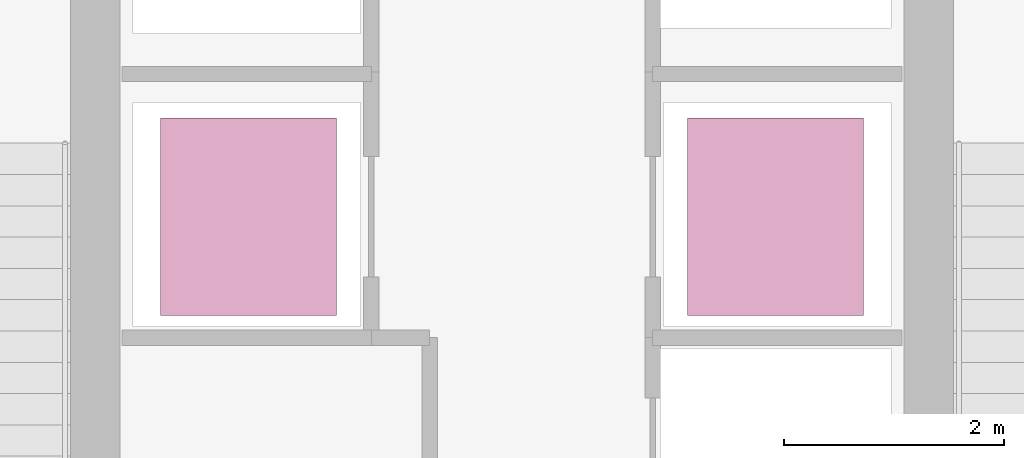
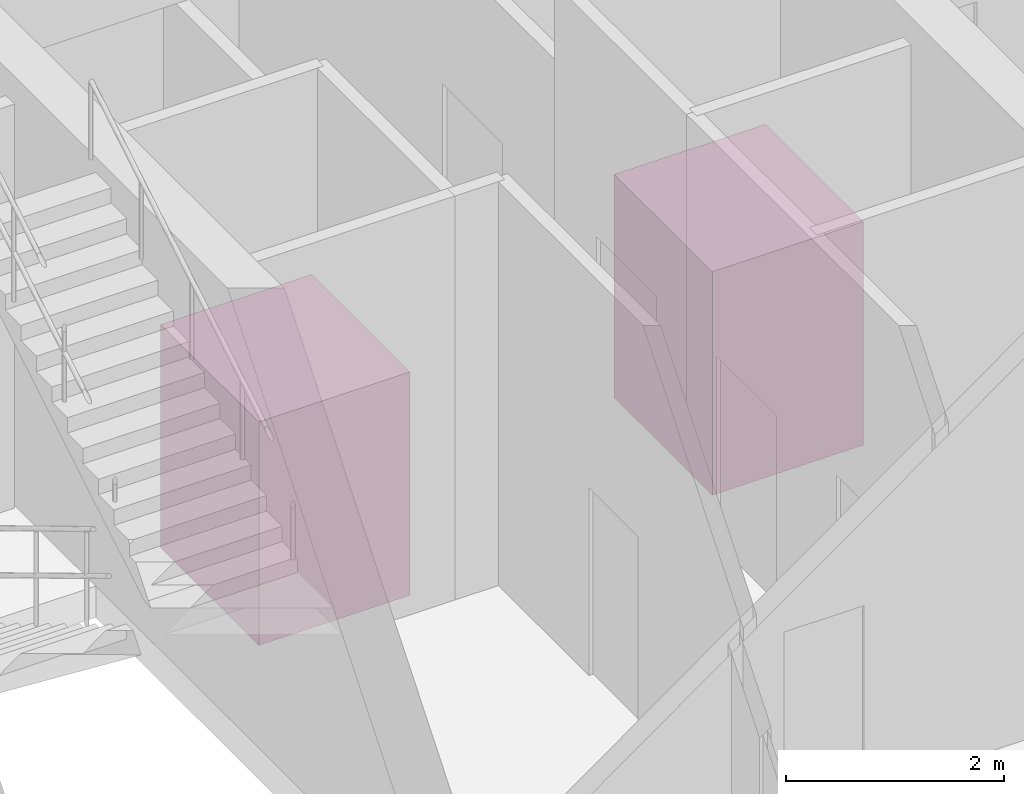
# One storey, part 22 of 22: 2 transport elements.
"""IFC4 building model written with IfcOpenShell, lengths in metres."""

from ifc_helpers import new_model, si_unit, direction, frame, origin, origin_2d, place, context, subcontext, project, spatial, rectangle, extrude, source, transform, mapped, material, type_object, type_shapes, element, save


model = new_model("IFC4")

# Units and contexts
model_context = context("Model", 3, precision=1e-05, world=origin(), true_north=direction((0.0, 1.0)))
body_context = subcontext(model_context, "Body", "Model", "MODEL_VIEW")
ifc_project = project(units=[si_unit("LENGTHUNIT", "METRE"), si_unit("AREAUNIT", "SQUARE_METRE"), si_unit("VOLUMEUNIT", "CUBIC_METRE"), si_unit("PLANEANGLEUNIT", "RADIAN"), si_unit("MASSUNIT", "GRAM", prefix="KILO")], contexts=[model_context])

# Site, building, storey
site_placement = place(None, origin())
site = spatial("IfcSite", under=ifc_project, at=site_placement, CompositionType="ELEMENT")
building_placement = place(site_placement, origin())
building = spatial("IfcBuilding", under=site, at=building_placement, Name="Krantzveldt Concourse Tower", CompositionType="ELEMENT")
storey_placement = place(building_placement, frame((0.0, 0.0, 262.60009765625)))
storey = spatial("IfcBuildingStorey", under=building, at=storey_placement, Name="L64", CompositionType="ELEMENT", Elevation=262.60009765625)

# Transport elements
ifc_material = material(Name="Stainless steel 316L", Category="steel")
transport_element_type_1 = type_object("IfcTransportElementType", Name="LFT-PASS-PH1", PredefinedType="ELEVATOR", material=ifc_material)
shared_shape_1 = source(origin(), body_context, "Body", "SweptSolid", [
    extrude(rectangle(XDim=1.60009765625, YDim=1.800048828125, at=origin_2d()), origin(), (0.0, 0.0, 1.0), 2.5),
])
type_shapes(transport_element_type_1, [shared_shape_1])
transport_element_1_placement = place(storey_placement, frame((33.60009765625, 18.8798828125, 0.0), z_axis=(0.0, 0.0, 1.0), x_axis=(1.0, 0.0, 0.0)))
element("IfcTransportElement", 1, at=transport_element_1_placement, inside=storey, type_object=transport_element_type_1, Name="Elevator Car PH1", PredefinedType="ELEVATOR", context=body_context, shape_type="MappedRepresentation", body=[
    mapped(shared_shape_1, transform((0.0, 0.0, 0.0), x_axis=(1.0, 0.0, 0.0), y_axis=(0.0, 1.0, 0.0), z_axis=(0.0, 0.0, 1.0), scale=1.0)),
])
transport_element_type_2 = type_object("IfcTransportElementType", Name="LFT-PASS-PH2", PredefinedType="ELEVATOR", material=ifc_material)
shared_shape_2 = source(origin(), body_context, "Body", "SweptSolid", [
    extrude(rectangle(XDim=1.60009765625, YDim=1.800048828125, at=origin_2d()), origin(), (0.0, 0.0, 1.0), 2.5),
])
type_shapes(transport_element_type_2, [shared_shape_2])
transport_element_2_placement = place(storey_placement, frame((38.39990234375, 18.8798828125, 0.0), z_axis=(0.0, 0.0, 1.0), x_axis=(1.0, 0.0, 0.0)))
element("IfcTransportElement", 2, at=transport_element_2_placement, inside=storey, type_object=transport_element_type_2, Name="Elevator Car PH2", PredefinedType="ELEVATOR", context=body_context, shape_type="MappedRepresentation", body=[
    mapped(shared_shape_2, transform((0.0, 0.0, 0.0), x_axis=(1.0, 0.0, 0.0), y_axis=(0.0, 1.0, 0.0), z_axis=(0.0, 0.0, 1.0), scale=1.0)),
])

save(model, "model.ifc")
